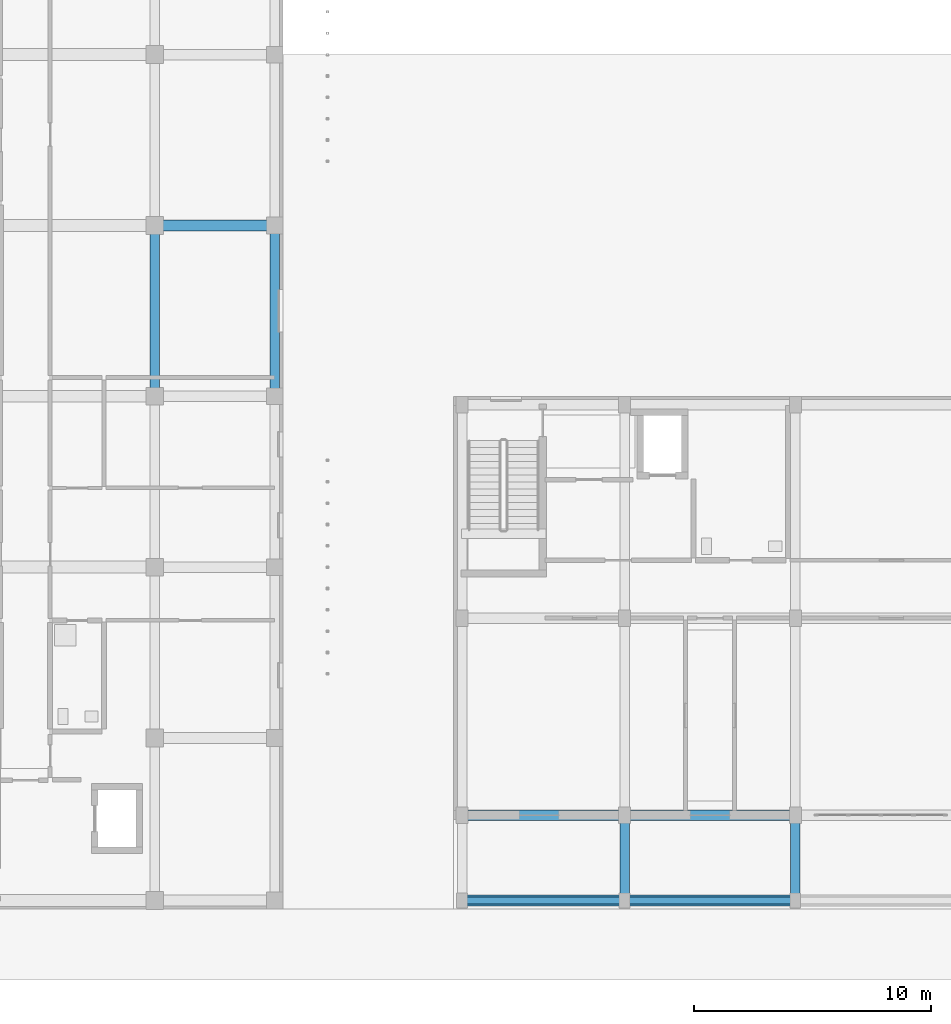
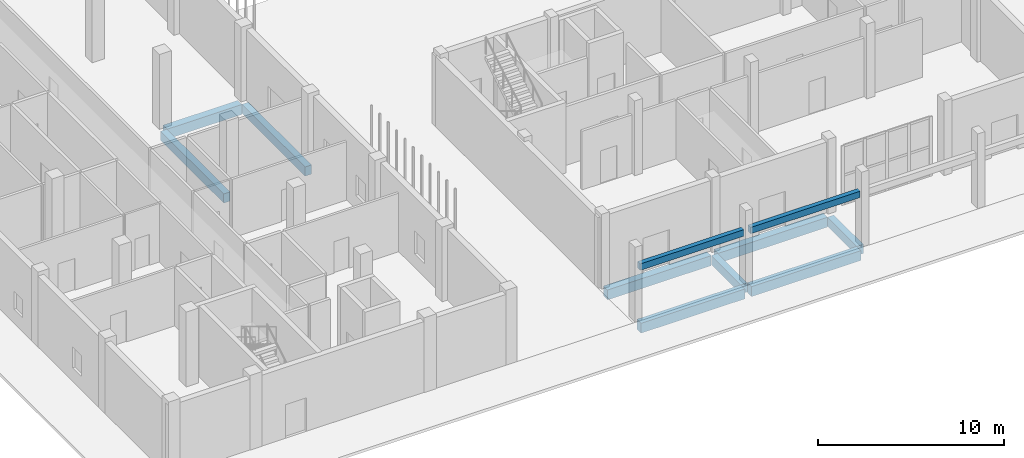
# One storey, part 7 of 85: 11 beams.
"""IFC4 building model written with IfcOpenShell, lengths in metres."""

from ifc_helpers import new_model, si_unit, derived_unit, direction, frame, origin, origin_2d, place, context, subcontext, project, spatial, rectangle, extrude, material, material_profile, profile_set, type_object, element, save


model = new_model("IFC4")

# Units and contexts
model_context = context("Model", 3, precision=1e-05, world=origin(), true_north=direction((0.0, 1.0)))
body_context = subcontext(model_context, "Body", "Model", "MODEL_VIEW")
ifc_project = project(units=[si_unit("LENGTHUNIT", "METRE"), si_unit("AREAUNIT", "SQUARE_METRE"), si_unit("VOLUMEUNIT", "CUBIC_METRE"), si_unit("PLANEANGLEUNIT", "RADIAN"), si_unit("MASSUNIT", "GRAM", prefix="KILO"), derived_unit("THERMALTRANSMITTANCEUNIT", [(si_unit("MASSUNIT", "GRAM", prefix="KILO"), 1), (si_unit("TIMEUNIT", "SECOND"), -3), (si_unit("THERMODYNAMICTEMPERATUREUNIT", "KELVIN"), -1)])], contexts=[model_context])

# Site, building, storey
site_placement = place(None, origin())
site = spatial("IfcSite", under=ifc_project, at=site_placement, CompositionType="ELEMENT")
building_placement = place(site_placement, origin())
building = spatial("IfcBuilding", under=site, at=building_placement, Name="Ochrekiln Boulevard Commons", CompositionType="ELEMENT")
storey_placement = place(building_placement, origin())
storey = spatial("IfcBuildingStorey", under=building, at=storey_placement, Name="L00", CompositionType="ELEMENT", Elevation=0.0)

# Beams
ifc_material_1 = material(Name="Concrete C35/45", Category="concrete")
ifc_material_profile_1 = material_profile(ifc_material_1, rectangle(XDim=0.39990234375, YDim=0.60009765625, at=origin_2d()), Name="RC-BM-400x600")
ifc_profile_set_1 = profile_set([ifc_material_profile_1], Name="Concrete C35/45")
beam_type_1 = type_object("IfcBeamType", Name="BM-RC-400x600", PredefinedType="BEAM", material=ifc_profile_set_1)
for number, where, z_axis, x_axis, name in (
    (1, (16.199951171875, 21.81005859375, -0.580078125), (0.0, 1.0, 0.0), (-1.0, 0.0, 0.0), "Block D L00 Beam B-4060 Y40"),
    (2, (21.25, 21.81005859375, -0.580078125), (0.0, 1.0, 0.0), (-1.0, 0.0, 0.0), "Block D L00 Beam B-4060 Y47"),
):
    element("IfcBeam", number, at=place(storey_placement, frame(where, z_axis=z_axis, x_axis=x_axis)), inside=storey, type_object=beam_type_1, Name=name, PredefinedType="BEAM", context=body_context, shape_type="SweptSolid", body=[
        extrude(rectangle(XDim=0.39990234375, YDim=0.60009765625, at=origin_2d()), origin(), (0.0, 0.0, 1.0), 6.780029296875),
    ])
for number, where, z_axis, x_axis, name in (
    (3, (36.0, 0.56005859375, -0.590087890625), (0.0, 1.0, 0.0), (-1.0, 0.0, 0.0), "West Boulevard Shops and Arcade L00 Beam B-4060 Y20"),
    (4, (43.199951171875, 0.56005859375, -0.590087890625), (0.0, 1.0, 0.0), (-1.0, 0.0, 0.0), "West Boulevard Shops and Arcade L00 Beam B-4060 Y23"),
):
    element("IfcBeam", number, at=place(storey_placement, frame(where, z_axis=z_axis, x_axis=x_axis)), inside=storey, type_object=beam_type_1, Name=name, PredefinedType="BEAM", context=body_context, shape_type="SweptSolid", body=[
        extrude(rectangle(XDim=0.39990234375, YDim=0.60009765625, at=origin_2d()), origin(), (0.0, 0.0, 1.0), 3.179931640625),
    ])
ifc_material_profile_2 = material_profile(ifc_material_1, rectangle(XDim=0.449951171875, YDim=0.64990234375, at=origin_2d()), Name="RC-BM-450x650")
ifc_profile_set_2 = profile_set([ifc_material_profile_2], Name="Concrete C35/45")
beam_type_2 = type_object("IfcBeamType", Name="BM-RC-450x650", PredefinedType="BEAM", material=ifc_profile_set_2)
beam_1_placement = place(storey_placement, frame((16.409912109375, 28.800048828125, -0.60498046875), z_axis=(1.0, 0.0, 0.0), x_axis=(0.0, 1.0, 0.0)))
element("IfcBeam", 5, at=beam_1_placement, inside=storey, type_object=beam_type_2, Name="Block D L00 Beam B-4565 X14", PredefinedType="BEAM", context=body_context, shape_type="SweptSolid", body=[
    extrude(rectangle(XDim=0.449951171875, YDim=0.64990234375, at=origin_2d()), origin(), (0.0, 0.0, 1.0), 4.630126953125),
])
beam_2_placement = place(storey_placement, frame((29.360107421875, 0.35009765625, -0.614990234375), z_axis=(1.0, 0.0, 0.0), x_axis=(0.0, 1.0, 0.0)))
element("IfcBeam", 6, at=beam_2_placement, inside=storey, type_object=beam_type_2, Name="West Boulevard Shops and Arcade L00 Beam B-4565 X1", PredefinedType="BEAM", context=body_context, shape_type="SweptSolid", body=[
    extrude(rectangle(XDim=0.449951171875, YDim=0.64990234375, at=origin_2d()), origin(), (0.0, 0.0, 1.0), 6.429931640625),
])
beam_3_placement = place(storey_placement, frame((36.2099609375, 0.35009765625, -0.614990234375), z_axis=(1.0, 0.0, 0.0), x_axis=(0.0, 1.0, 0.0)))
element("IfcBeam", 7, at=beam_3_placement, inside=storey, type_object=beam_type_2, Name="West Boulevard Shops and Arcade L00 Beam B-4565 X2", PredefinedType="BEAM", context=body_context, shape_type="SweptSolid", body=[
    extrude(rectangle(XDim=0.449951171875, YDim=0.64990234375, at=origin_2d()), origin(), (0.0, 0.0, 1.0), 6.780029296875),
])
beam_4_placement = place(storey_placement, frame((29.360107421875, 3.949951171875, -0.614990234375), z_axis=(1.0, 0.0, 0.0), x_axis=(0.0, 1.0, 0.0)))
element("IfcBeam", 8, at=beam_4_placement, inside=storey, type_object=beam_type_2, Name="West Boulevard Shops and Arcade L00 Beam B-4565 X5", PredefinedType="BEAM", context=body_context, shape_type="SweptSolid", body=[
    extrude(rectangle(XDim=0.449951171875, YDim=0.64990234375, at=origin_2d()), origin(), (0.0, 0.0, 1.0), 6.429931640625),
])
beam_5_placement = place(storey_placement, frame((36.2099609375, 3.949951171875, -0.614990234375), z_axis=(1.0, 0.0, 0.0), x_axis=(0.0, 1.0, 0.0)))
element("IfcBeam", 9, at=beam_5_placement, inside=storey, type_object=beam_type_2, Name="West Boulevard Shops and Arcade L00 Beam B-4565 X6", PredefinedType="BEAM", context=body_context, shape_type="SweptSolid", body=[
    extrude(rectangle(XDim=0.449951171875, YDim=0.64990234375, at=origin_2d()), origin(), (0.0, 0.0, 1.0), 6.780029296875),
])
ifc_material_2 = material(Name="Precast concrete C40/50", Category="concrete")
ifc_material_profile_3 = material_profile(ifc_material_2, rectangle(XDim=0.280029296875, YDim=0.419921875, at=origin_2d()), Name="RC-LIN-280x420")
ifc_profile_set_3 = profile_set([ifc_material_profile_3], Name="Precast concrete C40/50")
beam_type_3 = type_object("IfcBeamType", Name="LIN-PC-280x420", PredefinedType="LINTEL", material=ifc_profile_set_3)
beam_6_placement = place(storey_placement, frame((29.35009765625, 0.35009765625, 3.340087890625), z_axis=(1.0, 0.0, 0.0), x_axis=(0.0, 1.0, 0.0)))
element("IfcBeam", 10, at=beam_6_placement, inside=storey, type_object=beam_type_3, Name="Boulevard Colonnade Precast Arch Lintel LN-2842 (1)", PredefinedType="LINTEL", context=body_context, shape_type="SweptSolid", body=[
    extrude(rectangle(XDim=0.280029296875, YDim=0.419921875, at=origin_2d()), origin(), (0.0, 0.0, 1.0), 6.449951171875),
])
beam_7_placement = place(storey_placement, frame((36.199951171875, 0.35009765625, 3.340087890625), z_axis=(1.0, 0.0, 0.0), x_axis=(0.0, 1.0, 0.0)))
element("IfcBeam", 11, at=beam_7_placement, inside=storey, type_object=beam_type_3, Name="Boulevard Colonnade Precast Arch Lintel LN-2842 (2)", PredefinedType="LINTEL", context=body_context, shape_type="SweptSolid", body=[
    extrude(rectangle(XDim=0.280029296875, YDim=0.419921875, at=origin_2d()), origin(), (0.0, 0.0, 1.0), 6.800048828125),
])

save(model, "model.ifc")
